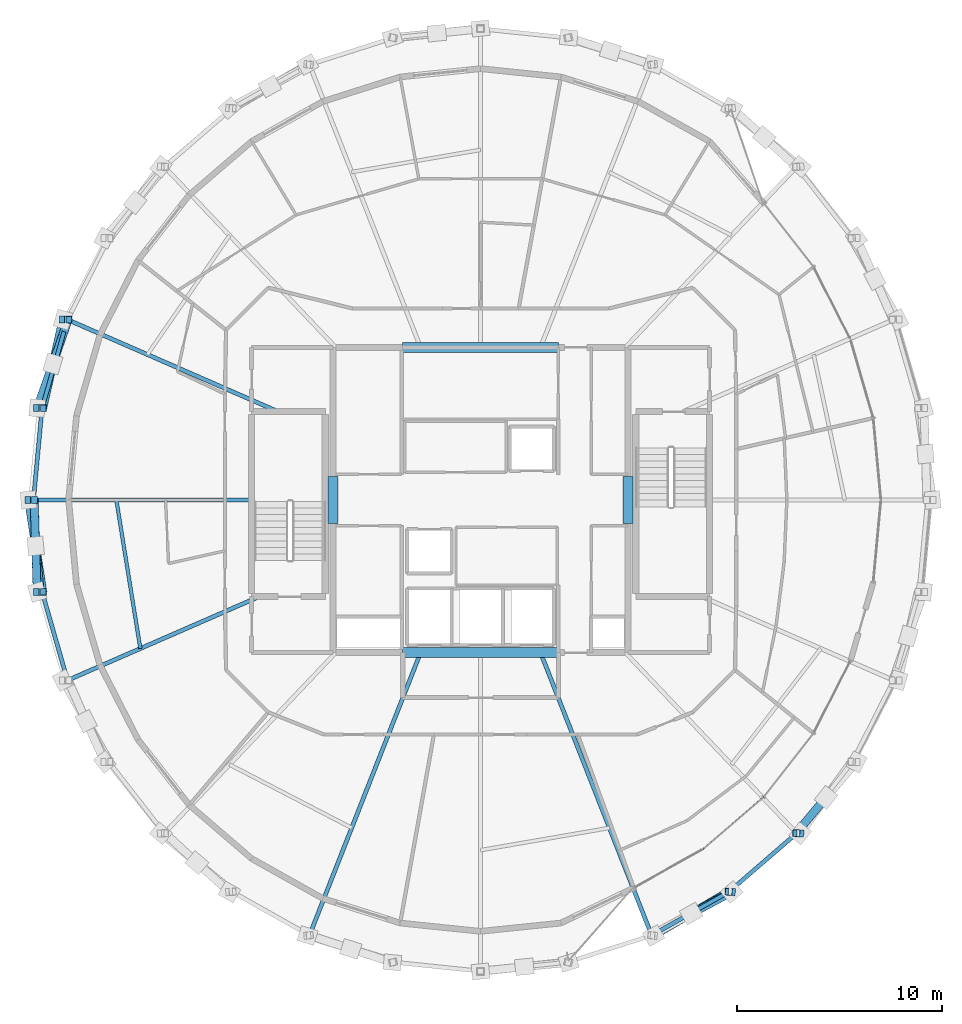
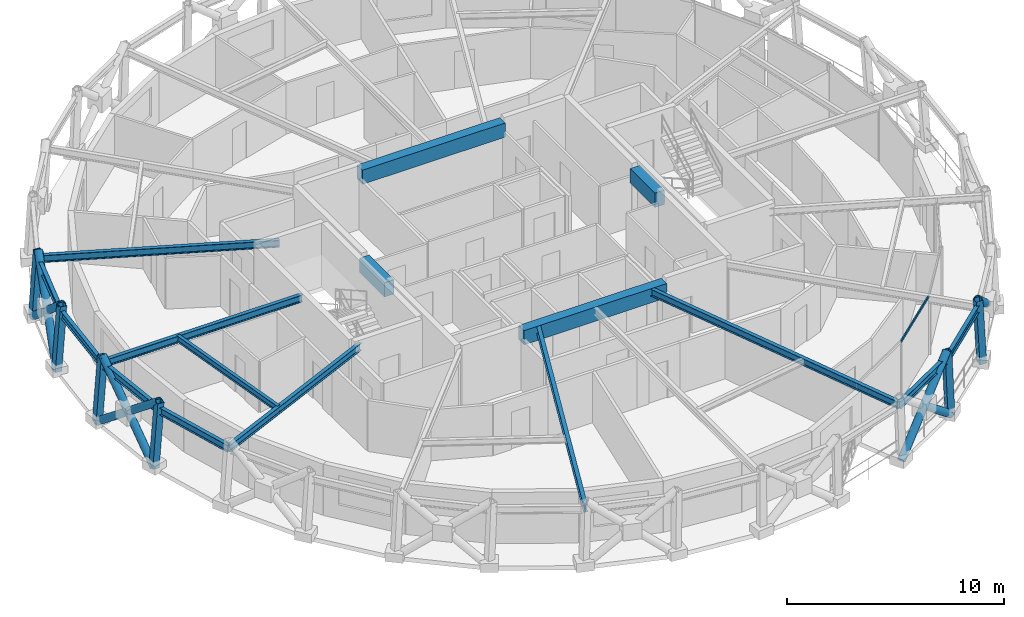
# One storey, part 3 of 15: 16 beams, 16 members, 1 element without a shape of its own.
"""IFC4 building model written with IfcOpenShell, lengths in metres."""

from ifc_helpers import new_model, si_unit, direction, frame, origin, origin_2d, place, context, subcontext, project, spatial, rectangle, hollow_rectangle, hollow_circle, i_section, extrude, material, layer, layer_set, material_profile, profile_set, type_object, element, aggregate, save


model = new_model("IFC4")

# Units and contexts
model_context = context("Model", 3, precision=1e-05, world=origin(), true_north=direction((0.0, 1.0)))
body_context = subcontext(model_context, "Body", "Model", "MODEL_VIEW")
ifc_project = project(units=[si_unit("LENGTHUNIT", "METRE"), si_unit("AREAUNIT", "SQUARE_METRE"), si_unit("VOLUMEUNIT", "CUBIC_METRE"), si_unit("PLANEANGLEUNIT", "RADIAN"), si_unit("MASSUNIT", "GRAM", prefix="KILO")], contexts=[model_context])

# Site, building, storey
site_placement = place(None, origin())
site = spatial("IfcSite", under=ifc_project, at=site_placement, CompositionType="ELEMENT")
building_placement = place(site_placement, origin())
building = spatial("IfcBuilding", under=site, at=building_placement, Name="Veldorina Hangang Commons", CompositionType="ELEMENT")
storey_placement = place(building_placement, frame((0.0, 0.0, 261.60009765625)))
storey = spatial("IfcBuildingStorey", under=building, at=storey_placement, Name="L68", CompositionType="ELEMENT", Elevation=261.60009765625)

# Beams
ifc_material_1 = material(Name="Concrete C50/60", Category="concrete")
ifc_material_profile_1 = material_profile(ifc_material_1, rectangle(XDim=0.5, YDim=0.800048828125, at=origin_2d()), Name="RC-CB-500x800")
ifc_profile_set_1 = profile_set([ifc_material_profile_1], Name="Concrete C50/60")
beam_type_1 = type_object("IfcBeamType", Name="BM-CB800", PredefinedType="LINTEL", material=ifc_profile_set_1)
for number, where, z_axis, x_axis, name in (
    (1, (24.800048828125, 22.85009765625, 2.9599609375), (0.0, 1.0, 0.0), (-1.0, 0.0, 0.0), "L68 W core coupling lintel beam"),
    (2, (39.199951171875, 22.85009765625, 2.9599609375), (0.0, 1.0, 0.0), (-1.0, 0.0, 0.0), "L68 E core coupling lintel beam"),
):
    element("IfcBeam", number, at=place(storey_placement, frame(where, z_axis=z_axis, x_axis=x_axis)), inside=storey, type_object=beam_type_1, Name=name, PredefinedType="LINTEL", context=body_context, shape_type="SweptSolid", body=[
        extrude(rectangle(XDim=0.5, YDim=0.800048828125, at=origin_2d()), origin(), (0.0, 0.0, 1.0), 2.2998046875),
    ])
for number, where, z_axis, x_axis, name in (
    (3, (28.199951171875, 16.550048828125, 2.9599609375), (1.0, 0.0, 0.0), (0.0, 1.0, 0.0), "L68 south core coupling beam"),
    (4, (28.199951171875, 31.449951171875, 2.9599609375), (1.0, 0.0, 0.0), (0.0, 1.0, 0.0), "L68 north core coupling beam"),
):
    element("IfcBeam", number, at=place(storey_placement, frame(where, z_axis=z_axis, x_axis=x_axis)), inside=storey, type_object=beam_type_1, Name=name, PredefinedType="LINTEL", context=body_context, shape_type="SweptSolid", body=[
        extrude(rectangle(XDim=0.5, YDim=0.800048828125, at=origin_2d()), origin(), (0.0, 0.0, 1.0), 7.60009765625),
    ])
ifc_material_2 = material(Name="Steel SM355-TMC", Category="steel")
ifc_material_profile_2 = material_profile(ifc_material_2, i_section(OverallWidth=0.199951171875, OverallDepth=0.39990234375, WebThickness=0.008056640625, FlangeThickness=0.012939453125, FilletRadius=0.012939453125, at=origin_2d()), Name="H-400x200x8x13")
ifc_profile_set_2 = profile_set([ifc_material_profile_2], Name="Steel SM355-TMC")
beam_type_2 = type_object("IfcBeamType", Name="BM-FG400", PredefinedType="BEAM", material=ifc_profile_set_2)
beam_1_placement = place(storey_placement, frame((22.10546875, 28.320068359375, 3.159912109375), z_axis=(-0.91645546619, 0.400136699755, 0.0), x_axis=(-0.400136699755, -0.91645546619, 0.0)))
element("IfcBeam", 5, at=beam_1_placement, inside=storey, type_object=beam_type_2, Name="L68 radial floor girder 08", PredefinedType="BEAM", context=body_context, shape_type="SweptSolid", body=[
    extrude(i_section(OverallWidth=0.199951171875, OverallDepth=0.39990234375, WebThickness=0.008056640625, FlangeThickness=0.012939453125, FilletRadius=0.012939453125, at=origin_2d()), origin(), (0.0, 0.0, 1.0), 11.210693359375),
])
beam_2_placement = place(storey_placement, frame((20.820068359375, 24.0, 3.159912109375), z_axis=(-1.0, 0.0, 0.0), x_axis=(0.0, -1.0, 0.0)))
element("IfcBeam", 6, at=beam_2_placement, inside=storey, type_object=beam_type_2, Name="L68 radial floor girder 09", PredefinedType="BEAM", context=body_context, shape_type="SweptSolid", body=[
    extrude(i_section(OverallWidth=0.199951171875, OverallDepth=0.39990234375, WebThickness=0.008056640625, FlangeThickness=0.012939453125, FilletRadius=0.012939453125, at=origin_2d()), origin(), (0.0, 0.0, 1.0), 10.650634765625),
])
beam_3_placement = place(storey_placement, frame((21.189453125, 19.280029296875, 3.159912109375), z_axis=(-0.916453946548, -0.400140180257, 0.0), x_axis=(0.400140180257, -0.916453946548, 0.0)))
element("IfcBeam", 7, at=beam_3_placement, inside=storey, type_object=beam_type_2, Name="L68 radial floor girder 10", PredefinedType="BEAM", context=body_context, shape_type="SweptSolid", body=[
    extrude(i_section(OverallWidth=0.199951171875, OverallDepth=0.39990234375, WebThickness=0.008056640625, FlangeThickness=0.012939453125, FilletRadius=0.012939453125, at=origin_2d()), origin(), (0.0, 0.0, 1.0), 10.211181640625),
])
for number, where, z_axis, x_axis, name in (
    (8, (29.072509765625, 16.550048828125, 3.159912109375), (-0.365740953983, -0.930716688676, 0.0), (0.930716688676, -0.365740953983, 0.0), "L68 radial floor girder 12"),
    (9, (34.927490234375, 16.550048828125, 3.159912109375), (0.365740953983, -0.930716688676, 0.0), (0.930716688676, 0.365740953983, 0.0), "L68 radial floor girder 14"),
):
    element("IfcBeam", number, at=place(storey_placement, frame(where, z_axis=z_axis, x_axis=x_axis)), inside=storey, type_object=beam_type_2, Name=name, PredefinedType="BEAM", context=body_context, shape_type="SweptSolid", body=[
        extrude(i_section(OverallWidth=0.199951171875, OverallDepth=0.39990234375, WebThickness=0.008056640625, FlangeThickness=0.012939453125, FilletRadius=0.012939453125, at=origin_2d()), origin(), (0.0, 0.0, 1.0), 14.837158203125),
    ])
ifc_material_profile_3 = material_profile(ifc_material_2, i_section(OverallWidth=0.175048828125, OverallDepth=0.35009765625, WebThickness=0.007080078125, FlangeThickness=0.010986328125, FilletRadius=0.012939453125, at=origin_2d()), Name="H-350x175x7x11")
ifc_profile_set_3 = profile_set([ifc_material_profile_3], Name="Steel SM355-TMC")
beam_type_3 = type_object("IfcBeamType", Name="BM-JST350", PredefinedType="JOIST", material=ifc_profile_set_3)
beam_4_placement = place(storey_placement, frame((14.216796875, 24.0, 3.184814453125), z_axis=(0.159336912978, -0.987224264371, 0.0), x_axis=(0.987224264371, 0.159336912978, 0.0)))
element("IfcBeam", 10, at=beam_4_placement, inside=storey, type_object=beam_type_3, Name="L68 secondary floor joist 09", PredefinedType="JOIST", context=body_context, shape_type="SweptSolid", body=[
    extrude(i_section(OverallWidth=0.175048828125, OverallDepth=0.35009765625, WebThickness=0.007080078125, FlangeThickness=0.010986328125, FilletRadius=0.012939453125, at=origin_2d()), origin(), (0.0, 0.0, 1.0), 7.346923828125),
])
ifc_material_profile_4 = material_profile(ifc_material_2, i_section(OverallWidth=0.199951171875, OverallDepth=0.39990234375, WebThickness=0.008056640625, FlangeThickness=0.012939453125, FilletRadius=0.012939453125, at=origin_2d()), Name="H-400x200x8x13")
ifc_profile_set_4 = profile_set([ifc_material_profile_4], Name="Steel SM355-TMC")
beam_type_4 = type_object("IfcBeamType", Name="BM-RB400", PredefinedType="BEAM", material=ifc_profile_set_4)
beam_5_placement = place(storey_placement, frame((11.831298828125, 32.805908203125, 3.159912109375), z_axis=(-0.276543996443, -0.96100125808, 0.0), x_axis=(0.96100125808, -0.276543996443, 0.0)))
element("IfcBeam", 11, at=beam_5_placement, inside=storey, type_object=beam_type_4, Name="L68 perimeter hoop ring beam 14", PredefinedType="BEAM", context=body_context, shape_type="SweptSolid", body=[
    extrude(i_section(OverallWidth=0.199951171875, OverallDepth=0.39990234375, WebThickness=0.008056640625, FlangeThickness=0.012939453125, FilletRadius=0.012939453125, at=origin_2d()), origin(), (0.0, 0.0, 1.0), 4.491943359375),
])
for number, where, z_axis, x_axis, name in (
    (12, (10.589111328125, 28.4892578125, 3.159912109375), (-0.093079037681, -0.995658723029, 0.0), (0.995658723029, -0.093079037681, 0.0), "L68 perimeter hoop ring beam 15"),
    (13, (10.16943359375, 24.0, 3.159912109375), (0.093079037681, -0.995658723029, 0.0), (0.995658723029, 0.093079037681, 0.0), "L68 perimeter hoop ring beam 16"),
):
    element("IfcBeam", number, at=place(storey_placement, frame(where, z_axis=z_axis, x_axis=x_axis)), inside=storey, type_object=beam_type_4, Name=name, PredefinedType="BEAM", context=body_context, shape_type="SweptSolid", body=[
        extrude(i_section(OverallWidth=0.199951171875, OverallDepth=0.39990234375, WebThickness=0.008056640625, FlangeThickness=0.012939453125, FilletRadius=0.012939453125, at=origin_2d()), origin(), (0.0, 0.0, 1.0), 4.5087890625),
    ])
beam_6_placement = place(storey_placement, frame((10.589111328125, 19.5107421875, 3.159912109375), z_axis=(0.276543996443, -0.96100125808, 0.0), x_axis=(0.96100125808, 0.276543996443, 0.0)))
element("IfcBeam", 14, at=beam_6_placement, inside=storey, type_object=beam_type_4, Name="L68 perimeter hoop ring beam 17", PredefinedType="BEAM", context=body_context, shape_type="SweptSolid", body=[
    extrude(i_section(OverallWidth=0.199951171875, OverallDepth=0.39990234375, WebThickness=0.008056640625, FlangeThickness=0.012939453125, FilletRadius=0.012939453125, at=origin_2d()), origin(), (0.0, 0.0, 1.0), 4.491943359375),
])
beam_7_placement = place(storey_placement, frame((40.35400390625, 2.740966796875, 3.159912109375), z_axis=(0.871244233372, 0.490849758905, 0.0), x_axis=(-0.490849758905, 0.871244233372, 0.0)))
element("IfcBeam", 15, at=beam_7_placement, inside=storey, type_object=beam_type_4, Name="L68 perimeter hoop ring beam 26", PredefinedType="BEAM", context=body_context, shape_type="SweptSolid", body=[
    extrude(i_section(OverallWidth=0.199951171875, OverallDepth=0.39990234375, WebThickness=0.008056640625, FlangeThickness=0.012939453125, FilletRadius=0.012939453125, at=origin_2d()), origin(), (0.0, 0.0, 1.0), 4.332275390625),
])
beam_8_placement = place(storey_placement, frame((44.12841796875, 4.867431640625, 3.159912109375), z_axis=(0.756305697563, 0.654218382372, 0.0), x_axis=(-0.654218382372, 0.756305697563, 0.0)))
element("IfcBeam", 16, at=beam_8_placement, inside=storey, type_object=beam_type_4, Name="L68 perimeter hoop ring beam 27", PredefinedType="BEAM", context=body_context, shape_type="SweptSolid", body=[
    extrude(i_section(OverallWidth=0.199951171875, OverallDepth=0.39990234375, WebThickness=0.008056640625, FlangeThickness=0.012939453125, FilletRadius=0.012939453125, at=origin_2d()), origin(), (0.0, 0.0, 1.0), 4.3740234375),
])

# Curtain wall, member
ifc_material_3 = material(Name="Glass Low-E Selective", Category="glass")
ifc_layer = layer(ifc_material_3, 0.179931640625)
ifc_layer_set = layer_set([ifc_layer], Name="Glass Low-E Selective")
curtain_wall_type = type_object("IfcCurtainWallType", Name="CW-SYS-Z3", PredefinedType="NOTDEFINED", material=ifc_layer_set)
curtain_wall_placement = place(storey_placement, origin())
curtain_wall = element("IfcCurtainWall", 17, at=curtain_wall_placement, inside=storey, type_object=curtain_wall_type, Name="L68 unitised curtain wall CW-L68-R1", PredefinedType="NOTDEFINED")
ifc_material_4 = material(Name="Aluminium Anodized AA6063-T6", Category="aluminium")
ifc_material_profile_5 = material_profile(ifc_material_4, hollow_rectangle(XDim=0.06005859375, YDim=0.139892578125, WallThickness=0.00341796875, at=origin_2d()), Name="ALU-RHS-140x60x3.5")
ifc_profile_set_5 = profile_set([ifc_material_profile_5], Name="Aluminium Anodized AA6063-T6")
member_type_1 = type_object("IfcMemberType", Name="CW-TRN-140", PredefinedType="USERDEFINED", material=ifc_profile_set_5)
member_1_placement = place(storey_placement, frame((42.8642578125, 6.953857421875, 3.27978515625), z_axis=(0.758025235701, 0.652225223401, 0.0), x_axis=(-0.652225223401, 0.758025235701, 0.0)))
member_1 = element("IfcMember", 18, at=member_1_placement, type_object=member_type_1, Name="CW-L68-R1 facet 2 transom 1", ObjectType="TRANSOM", PredefinedType="USERDEFINED", context=body_context, shape_type="SweptSolid", body=[
    extrude(hollow_rectangle(XDim=0.06005859375, YDim=0.139892578125, WallThickness=0.00341796875, at=origin_2d()), origin(), (0.0, 0.0, 1.0), 3.908935546875),
])
aggregate(curtain_wall, [member_1])

# Members
ifc_material_profile_6 = material_profile(ifc_material_2, hollow_circle(Radius=0.199951171875, WallThickness=0.02001953125, at=origin_2d()), Name="CHS-400x20")
ifc_profile_set_6 = profile_set([ifc_material_profile_6], Name="Steel SM355-TMC")
member_type_2 = type_object("IfcMemberType", Name="DG-CHS400", PredefinedType="BRACE", material=ifc_profile_set_6)
member_2_placement = place(storey_placement, frame((11.605224609375, 32.809814453125, 0.0), z_axis=(-0.172164053646, -0.756820521966, 0.630541224793), x_axis=(0.975088456383, -0.221816370516, 0.0)))
element("IfcMember", 19, at=member_2_placement, inside=storey, type_object=member_type_2, Name="L68 continuous perimeter diagrid brace 14", PredefinedType="BRACE", context=body_context, shape_type="SweptSolid", body=[
    extrude(hollow_circle(Radius=0.199951171875, WallThickness=0.02001953125, at=origin_2d()), origin(), (0.0, 0.0, 1.0), 5.709228515625),
])
member_3_placement = place(storey_placement, frame((10.34912109375, 28.4912109375, 0.0), z_axis=(0.262507530344, 0.740571387903, 0.618582101206), x_axis=(-0.942538345158, 0.334097991474, 0.0)))
element("IfcMember", 20, at=member_3_placement, inside=storey, type_object=member_type_2, Name="L68 split perimeter diagrid lower brace 15", PredefinedType="BRACE", context=body_context, shape_type="SweptSolid", body=[
    extrude(hollow_circle(Radius=0.199951171875, WallThickness=0.02001953125, at=origin_2d()), origin(), (0.0, 0.0, 1.0), 2.911865234375),
])
member_4_placement = place(storey_placement, frame((11.113525390625, 30.647705078125, 1.80126953125), z_axis=(0.257740844455, 0.742149182943, 0.618695601533), x_axis=(-0.944653880301, 0.328068661157, 0.0)))
element("IfcMember", 21, at=member_4_placement, inside=storey, type_object=member_type_2, Name="L68 split perimeter diagrid upper brace 15", PredefinedType="BRACE", context=body_context, shape_type="SweptSolid", body=[
    extrude(hollow_circle(Radius=0.199951171875, WallThickness=0.02001953125, at=origin_2d()), origin(), (0.0, 0.0, 1.0), 2.906982421875),
])
member_5_placement = place(storey_placement, frame((9.9248046875, 24.0, 0.0), z_axis=(0.120337760195, -0.774466362168, 0.621064149136), x_axis=(0.988142573927, 0.153539094671, 0.0)))
element("IfcMember", 22, at=member_5_placement, inside=storey, type_object=member_type_2, Name="L68 continuous perimeter diagrid brace 16", PredefinedType="BRACE", context=body_context, shape_type="SweptSolid", body=[
    extrude(hollow_circle(Radius=0.199951171875, WallThickness=0.02001953125, at=origin_2d()), origin(), (0.0, 0.0, 1.0), 5.79638671875),
])
member_6_placement = place(storey_placement, frame((10.34912109375, 19.5087890625, 0.0), z_axis=(-0.026197157101, 0.779980081963, 0.625255772226), x_axis=(-0.999436434942, -0.033568028087, 0.0)))
element("IfcMember", 23, at=member_6_placement, inside=storey, type_object=member_type_2, Name="L68 split perimeter diagrid lower brace 17", PredefinedType="BRACE", context=body_context, shape_type="SweptSolid", body=[
    extrude(hollow_circle(Radius=0.199951171875, WallThickness=0.02001953125, at=origin_2d()), origin(), (0.0, 0.0, 1.0), 2.879638671875),
])
member_7_placement = place(storey_placement, frame((10.273681640625, 21.7548828125, 1.800537109375), z_axis=(-0.024346027625, 0.780090836386, 0.625192416721), x_axis=(-0.999513347726, -0.031194033362, 0.0)))
element("IfcMember", 24, at=member_7_placement, inside=storey, type_object=member_type_2, Name="L68 split perimeter diagrid upper brace 17", PredefinedType="BRACE", context=body_context, shape_type="SweptSolid", body=[
    extrude(hollow_circle(Radius=0.199951171875, WallThickness=0.02001953125, at=origin_2d()), origin(), (0.0, 0.0, 1.0), 2.8779296875),
])
member_8_placement = place(storey_placement, frame((40.44775390625, 2.731201171875, 0.0), z_axis=(0.658335926287, 0.38429997564, 0.647230512942), x_axis=(-0.5041359416, 0.863624312063, 0.0)))
element("IfcMember", 25, at=member_8_placement, inside=storey, type_object=member_type_2, Name="L68 continuous perimeter diagrid brace 26", PredefinedType="BRACE", context=body_context, shape_type="SweptSolid", body=[
    extrude(hollow_circle(Radius=0.199951171875, WallThickness=0.02001953125, at=origin_2d()), origin(), (0.0, 0.0, 1.0), 5.56201171875),
])
member_9_placement = place(storey_placement, frame((44.264404296875, 4.858642578125, 0.0), z_axis=(-0.686632625633, -0.365915744054, 0.628204827799), x_axis=(0.47029970238, -0.882506764813, 0.0)))
element("IfcMember", 26, at=member_9_placement, inside=storey, type_object=member_type_2, Name="L68 split perimeter diagrid lower brace 27", PredefinedType="BRACE", context=body_context, shape_type="SweptSolid", body=[
    extrude(hollow_circle(Radius=0.199951171875, WallThickness=0.02001953125, at=origin_2d()), origin(), (0.0, 0.0, 1.0), 2.87890625),
])
member_10_placement = place(storey_placement, frame((48.869384765625, 9.4736328125, 1.804443359375), z_axis=(-0.50312016961, -0.602091865173, 0.619964096399), x_axis=(0.767357515188, -0.64121949743, 0.0)))
element("IfcMember", 27, at=member_10_placement, inside=storey, type_object=member_type_2, Name="L68 split perimeter diagrid upper brace 29", PredefinedType="BRACE", context=body_context, shape_type="SweptSolid", body=[
    extrude(hollow_circle(Radius=0.199951171875, WallThickness=0.02001953125, at=origin_2d()), origin(), (0.0, 0.0, 1.0), 2.89599609375),
])
ifc_material_profile_7 = material_profile(ifc_material_2, hollow_rectangle(XDim=0.35009765625, YDim=0.35009765625, WallThickness=0.01611328125, at=origin_2d()), Name="SHS-350x350x16")
ifc_profile_set_7 = profile_set([ifc_material_profile_7], Name="Steel SM355-TMC")
member_type_3 = type_object("IfcMemberType", Name="STR-SHS350", PredefinedType="STRUT", material=ifc_profile_set_7)
member_11_placement = place(storey_placement, frame((11.605224609375, 32.809814453125, 0.0), z_axis=(0.071367174957, -0.001285285615, 0.997449284114), x_axis=(0.018006558774, 0.999837868777, 0.0)))
element("IfcMember", 28, at=member_11_placement, inside=storey, type_object=member_type_3, Name="L68 perimeter ring node post 14", PredefinedType="STRUT", context=body_context, shape_type="SweptSolid", body=[
    extrude(hollow_rectangle(XDim=0.35009765625, YDim=0.35009765625, WallThickness=0.01611328125, at=origin_2d()), origin(), (0.0, 0.0, 1.0), 3.609130859375),
])
member_12_placement = place(storey_placement, frame((10.34912109375, 28.4912109375, 0.0), z_axis=(0.075672520213, -0.000608626168, 0.997132538462), x_axis=(0.008042635315, 0.999967657486, 0.0)))
element("IfcMember", 29, at=member_12_placement, inside=storey, type_object=member_type_3, Name="L68 perimeter ring node post 15", PredefinedType="STRUT", context=body_context, shape_type="SweptSolid", body=[
    extrude(hollow_rectangle(XDim=0.35009765625, YDim=0.35009765625, WallThickness=0.01611328125, at=origin_2d()), origin(), (0.0, 0.0, 1.0), 3.610107421875),
])
member_13_placement = place(storey_placement, frame((9.9248046875, 24.0, 0.0), z_axis=(0.077218731044, 0.0, 0.997014176216), x_axis=(0.0, 1.0, 0.0)))
element("IfcMember", 30, at=member_13_placement, inside=storey, type_object=member_type_3, Name="L68 perimeter ring node post 16", PredefinedType="STRUT", context=body_context, shape_type="SweptSolid", body=[
    extrude(hollow_rectangle(XDim=0.35009765625, YDim=0.35009765625, WallThickness=0.01611328125, at=origin_2d()), origin(), (0.0, 0.0, 1.0), 3.610595703125),
])
member_14_placement = place(storey_placement, frame((10.34912109375, 19.5087890625, 0.0), z_axis=(0.075672520213, 0.000608626168, 0.997132538462), x_axis=(-0.008042635315, 0.999967657486, 0.0)))
element("IfcMember", 31, at=member_14_placement, inside=storey, type_object=member_type_3, Name="L68 perimeter ring node post 17", PredefinedType="STRUT", context=body_context, shape_type="SweptSolid", body=[
    extrude(hollow_rectangle(XDim=0.35009765625, YDim=0.35009765625, WallThickness=0.01611328125, at=origin_2d()), origin(), (0.0, 0.0, 1.0), 3.610107421875),
])
member_15_placement = place(storey_placement, frame((44.264404296875, 4.858642578125, 0.0), z_axis=(-0.043025400064, 0.002778017957, 0.999070116441), x_axis=(-0.064432762324, -0.997922050633, 0.0)))
element("IfcMember", 32, at=member_15_placement, inside=storey, type_object=member_type_3, Name="L68 perimeter ring node post 27", PredefinedType="STRUT", context=body_context, shape_type="SweptSolid", body=[
    extrude(hollow_rectangle(XDim=0.35009765625, YDim=0.35009765625, WallThickness=0.01611328125, at=origin_2d()), origin(), (0.0, 0.0, 1.0), 3.603271484375),
])
member_16_placement = place(storey_placement, frame((47.609619140625, 7.7216796875, 0.0), z_axis=(-0.054716001142, 0.002302405989, 0.998499303027), x_axis=(-0.042042003341, -0.999115844112, 0.0)))
element("IfcMember", 33, at=member_16_placement, inside=storey, type_object=member_type_3, Name="L68 perimeter ring node post 28", PredefinedType="STRUT", context=body_context, shape_type="SweptSolid", body=[
    extrude(hollow_rectangle(XDim=0.35009765625, YDim=0.35009765625, WallThickness=0.01611328125, at=origin_2d()), origin(), (0.0, 0.0, 1.0), 3.605224609375),
])

save(model, "model.ifc")
